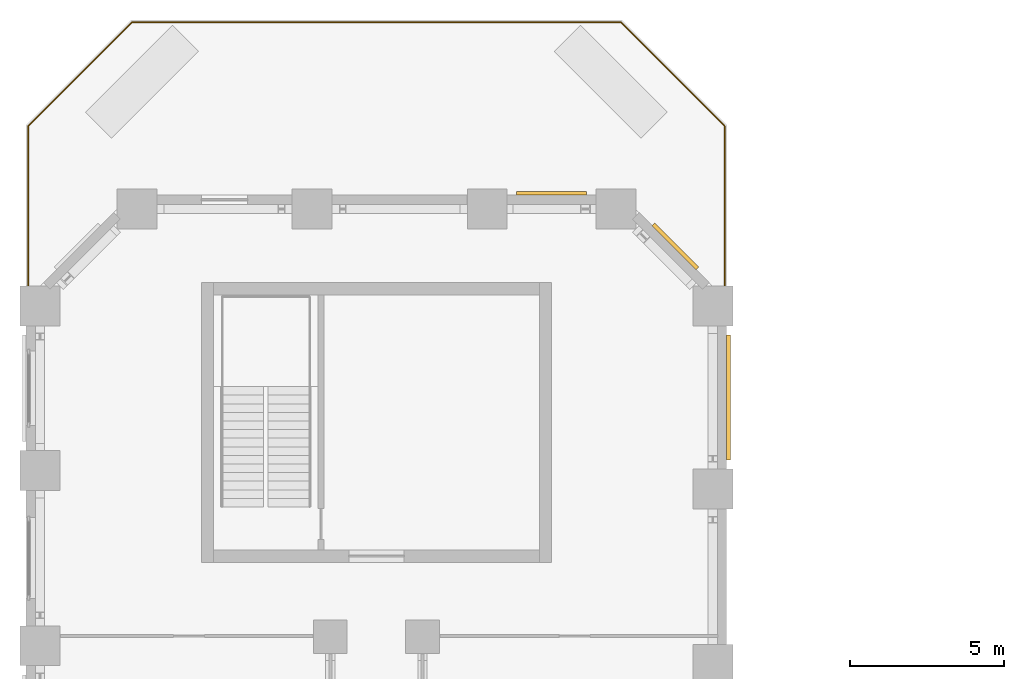
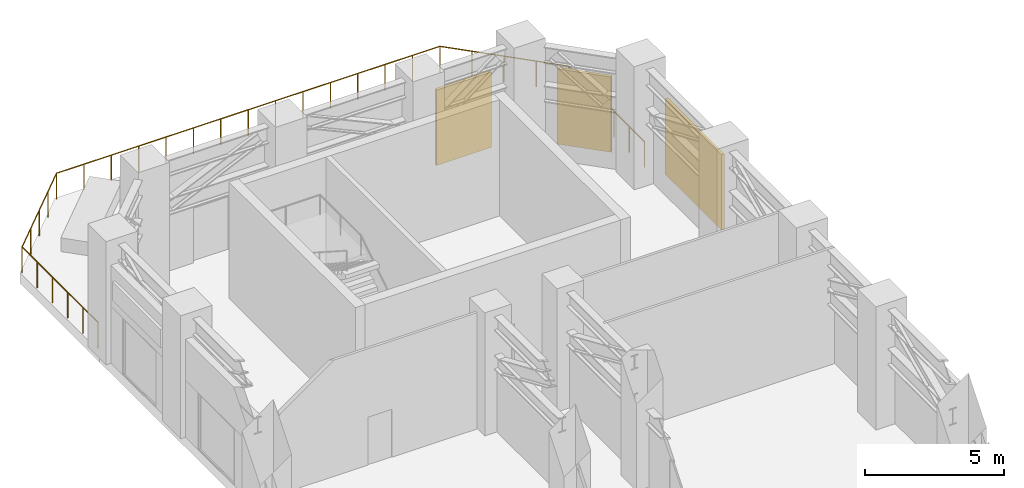
# One storey, part 20 of 21: 3 shading devices, 1 railing.
"""IFC4 building model written with IfcOpenShell, lengths in metres."""

from ifc_helpers import new_model, si_unit, direction, frame, origin, origin_2d, place, context, subcontext, project, spatial, rectangle, circle, extrude, material, layer, layer_set, type_object, element, save


model = new_model("IFC4")

# Units and contexts
model_context = context("Model", 3, precision=1e-05, world=origin(), true_north=direction((0.0, 1.0)))
body_context = subcontext(model_context, "Body", "Model", "MODEL_VIEW")
ifc_project = project(units=[si_unit("LENGTHUNIT", "METRE"), si_unit("AREAUNIT", "SQUARE_METRE"), si_unit("VOLUMEUNIT", "CUBIC_METRE"), si_unit("PLANEANGLEUNIT", "RADIAN"), si_unit("MASSUNIT", "GRAM", prefix="KILO")], contexts=[model_context])

# Site, building, storey
site_placement = place(None, origin())
site = spatial("IfcSite", under=ifc_project, at=site_placement, CompositionType="ELEMENT")
building_placement = place(site_placement, origin())
building = spatial("IfcBuilding", under=site, at=building_placement, Name="Meshkara Civic Tower", CompositionType="ELEMENT")
storey_placement = place(building_placement, frame((0.0, 0.0, 156.0)))
storey = spatial("IfcBuildingStorey", under=building, at=storey_placement, Name="L35", CompositionType="ELEMENT", Elevation=156.0)

# Shading devices
ifc_material_1 = material(Name="Bronze anodised aluminium louvre blades", Category="aluminium")
ifc_layer = layer(ifc_material_1, 0.1201171875)
ifc_layer_set = layer_set([ifc_layer], Name="PLANT LOUVRE BANK")
shading_device_type = type_object("IfcShadingDeviceType", Name="PLANT LOUVRE BANK", PredefinedType="USERDEFINED", material=ifc_layer_set)
shading_device_1_placement = place(storey_placement, frame((22.860107421875, 65.23193359375, 0.5), z_axis=(0.0, 0.0, 1.0), x_axis=(0.0, 1.0, 0.0)))
element("IfcShadingDevice", 1, at=shading_device_1_placement, inside=storey, type_object=shading_device_type, Name="Louvre bank", ObjectType="LOUVRE", PredefinedType="USERDEFINED", context=body_context, shape_type="SweptSolid", body=[
    extrude(rectangle(XDim=4.06396484375, YDim=0.1201171875, at=origin_2d()), origin(), (0.0, 0.0, 1.0), 3.300048828125),
])
shading_device_2_placement = place(storey_placement, frame((21.132080078125, 70.152099609375, 0.5), z_axis=(0.0, 0.0, 1.0), x_axis=(-0.707106781187, 0.707106781187, 0.0)))
element("IfcShadingDevice", 2, at=shading_device_2_placement, inside=storey, type_object=shading_device_type, Name="Louvre bank", ObjectType="LOUVRE", PredefinedType="USERDEFINED", context=body_context, shape_type="SweptSolid", body=[
    extrude(rectangle(XDim=2.02490234375, YDim=0.1201171875, at=origin_2d()), origin(), (0.0, 0.0, 1.0), 3.300048828125),
])
shading_device_3_placement = place(storey_placement, frame((17.10009765625, 71.8798828125, 0.5), z_axis=(0.0, 0.0, 1.0), x_axis=(-1.0, 0.0, 0.0)))
element("IfcShadingDevice", 3, at=shading_device_3_placement, inside=storey, type_object=shading_device_type, Name="Louvre bank", ObjectType="LOUVRE", PredefinedType="USERDEFINED", context=body_context, shape_type="SweptSolid", body=[
    extrude(rectangle(XDim=2.2880859375, YDim=0.1201171875, at=origin_2d()), origin(), (0.0, 0.0, 1.0), 3.300048828125),
])

# Railing
ifc_material_2 = material(Name="Steel S355", Category="steel")
railing_type = type_object("IfcRailingType", Name="TERRACE BALUSTRADE 1150", PredefinedType="BALUSTRADE", material=ifc_material_2)
railing_placement = place(storey_placement, frame((0.070068359375, 68.611083984375, 0.0)))
element("IfcRailing", 4, at=railing_placement, inside=storey, type_object=railing_type, Name="Terrace guard", PredefinedType="BALUSTRADE", context=body_context, shape_type="SweptSolid", body=[
    extrude(circle(Radius=0.02392578125, at=origin_2d()), frame((0.0, 0.0, 1.1259765625), z_axis=(0.0, 1.0, 0.0), x_axis=(-1.0, 0.0, 0.0)), (0.0, 0.0, 1.0), 5.4599609375),
    extrude(circle(Radius=0.02392578125, at=origin_2d()), frame((0.0, 5.4599609375, 1.1259765625), z_axis=(0.707106781187, 0.707106781187, 0.0), x_axis=(-0.707106781187, 0.707106781187, 0.0)), (0.0, 0.0, 1.0), 4.778564453125),
    extrude(circle(Radius=0.02392578125, at=origin_2d()), frame((3.37890625, 8.8388671875, 1.1259765625), z_axis=(1.0, 0.0, 0.0), x_axis=(0.0, 1.0, 0.0)), (0.0, 0.0, 1.0), 15.902099609375),
    extrude(circle(Radius=0.02392578125, at=origin_2d()), frame((19.281005859375, 8.8388671875, 1.1259765625), z_axis=(0.707106781187, -0.707106781187, 0.0), x_axis=(0.707106781187, 0.707106781187, 0.0)), (0.0, 0.0, 1.0), 4.778564453125),
    extrude(circle(Radius=0.02392578125, at=origin_2d()), frame((22.659912109375, 5.4599609375, 1.1259765625), z_axis=(0.0, -1.0, 0.0), x_axis=(1.0, 0.0, 0.0)), (0.0, 0.0, 1.0), 5.4599609375),
    extrude(circle(Radius=0.02099609375, at=origin_2d()), origin(), (0.0, 0.0, 1.0), 1.101806640625),
    extrude(circle(Radius=0.02099609375, at=origin_2d()), frame((0.0, 1.092041015625, 0.0)), (0.0, 0.0, 1.0), 1.101806640625),
    extrude(circle(Radius=0.02099609375, at=origin_2d()), frame((0.0, 2.18408203125, 0.0)), (0.0, 0.0, 1.0), 1.101806640625),
    extrude(circle(Radius=0.02099609375, at=origin_2d()), frame((0.0, 3.27587890625, 0.0)), (0.0, 0.0, 1.0), 1.101806640625),
    extrude(circle(Radius=0.02099609375, at=origin_2d()), frame((0.0, 4.367919921875, 0.0)), (0.0, 0.0, 1.0), 1.101806640625),
    extrude(circle(Radius=0.02099609375, at=origin_2d()), frame((0.0, 5.4599609375, 0.0)), (0.0, 0.0, 1.0), 1.101806640625),
    extrude(circle(Radius=0.02099609375, at=origin_2d()), frame((0.8447265625, 6.3046875, 0.0)), (0.0, 0.0, 1.0), 1.101806640625),
    extrude(circle(Radius=0.02099609375, at=origin_2d()), frame((1.689453125, 7.1494140625, 0.0)), (0.0, 0.0, 1.0), 1.101806640625),
    extrude(circle(Radius=0.02099609375, at=origin_2d()), frame((2.5341796875, 7.994140625, 0.0)), (0.0, 0.0, 1.0), 1.101806640625),
    extrude(circle(Radius=0.02099609375, at=origin_2d()), frame((3.37890625, 8.8388671875, 0.0)), (0.0, 0.0, 1.0), 1.101806640625),
    extrude(circle(Radius=0.02099609375, at=origin_2d()), frame((4.5146484375, 8.8388671875, 0.0)), (0.0, 0.0, 1.0), 1.101806640625),
    extrude(circle(Radius=0.02099609375, at=origin_2d()), frame((5.650634765625, 8.8388671875, 0.0)), (0.0, 0.0, 1.0), 1.101806640625),
    extrude(circle(Radius=0.02099609375, at=origin_2d()), frame((6.78662109375, 8.8388671875, 0.0)), (0.0, 0.0, 1.0), 1.101806640625),
    extrude(circle(Radius=0.02099609375, at=origin_2d()), frame((7.92236328125, 8.8388671875, 0.0)), (0.0, 0.0, 1.0), 1.101806640625),
    extrude(circle(Radius=0.02099609375, at=origin_2d()), frame((9.05810546875, 8.8388671875, 0.0)), (0.0, 0.0, 1.0), 1.101806640625),
    extrude(circle(Radius=0.02099609375, at=origin_2d()), frame((10.194091796875, 8.8388671875, 0.0)), (0.0, 0.0, 1.0), 1.101806640625),
    extrude(circle(Radius=0.02099609375, at=origin_2d()), frame((11.330078125, 8.8388671875, 0.0)), (0.0, 0.0, 1.0), 1.101806640625),
    extrude(circle(Radius=0.02099609375, at=origin_2d()), frame((12.4658203125, 8.8388671875, 0.0)), (0.0, 0.0, 1.0), 1.101806640625),
    extrude(circle(Radius=0.02099609375, at=origin_2d()), frame((13.6015625, 8.8388671875, 0.0)), (0.0, 0.0, 1.0), 1.101806640625),
    extrude(circle(Radius=0.02099609375, at=origin_2d()), frame((14.737548828125, 8.8388671875, 0.0)), (0.0, 0.0, 1.0), 1.101806640625),
    extrude(circle(Radius=0.02099609375, at=origin_2d()), frame((15.87353515625, 8.8388671875, 0.0)), (0.0, 0.0, 1.0), 1.101806640625),
    extrude(circle(Radius=0.02099609375, at=origin_2d()), frame((17.00927734375, 8.8388671875, 0.0)), (0.0, 0.0, 1.0), 1.101806640625),
    extrude(circle(Radius=0.02099609375, at=origin_2d()), frame((18.14501953125, 8.8388671875, 0.0)), (0.0, 0.0, 1.0), 1.101806640625),
    extrude(circle(Radius=0.02099609375, at=origin_2d()), frame((19.281005859375, 8.8388671875, 0.0)), (0.0, 0.0, 1.0), 1.101806640625),
    extrude(circle(Radius=0.02099609375, at=origin_2d()), frame((20.125732421875, 7.994140625, 0.0)), (0.0, 0.0, 1.0), 1.101806640625),
    extrude(circle(Radius=0.02099609375, at=origin_2d()), frame((20.970458984375, 7.1494140625, 0.0)), (0.0, 0.0, 1.0), 1.101806640625),
    extrude(circle(Radius=0.02099609375, at=origin_2d()), frame((21.815185546875, 6.3046875, 0.0)), (0.0, 0.0, 1.0), 1.101806640625),
    extrude(circle(Radius=0.02099609375, at=origin_2d()), frame((22.659912109375, 5.4599609375, 0.0)), (0.0, 0.0, 1.0), 1.101806640625),
    extrude(circle(Radius=0.02099609375, at=origin_2d()), frame((22.659912109375, 4.367919921875, 0.0)), (0.0, 0.0, 1.0), 1.101806640625),
    extrude(circle(Radius=0.02099609375, at=origin_2d()), frame((22.659912109375, 3.27587890625, 0.0)), (0.0, 0.0, 1.0), 1.101806640625),
    extrude(circle(Radius=0.02099609375, at=origin_2d()), frame((22.659912109375, 2.18408203125, 0.0)), (0.0, 0.0, 1.0), 1.101806640625),
    extrude(circle(Radius=0.02099609375, at=origin_2d()), frame((22.659912109375, 1.092041015625, 0.0)), (0.0, 0.0, 1.0), 1.101806640625),
    extrude(circle(Radius=0.02099609375, at=origin_2d()), frame((22.659912109375, 0.0, 0.0)), (0.0, 0.0, 1.0), 1.101806640625),
])

save(model, "model.ifc")
